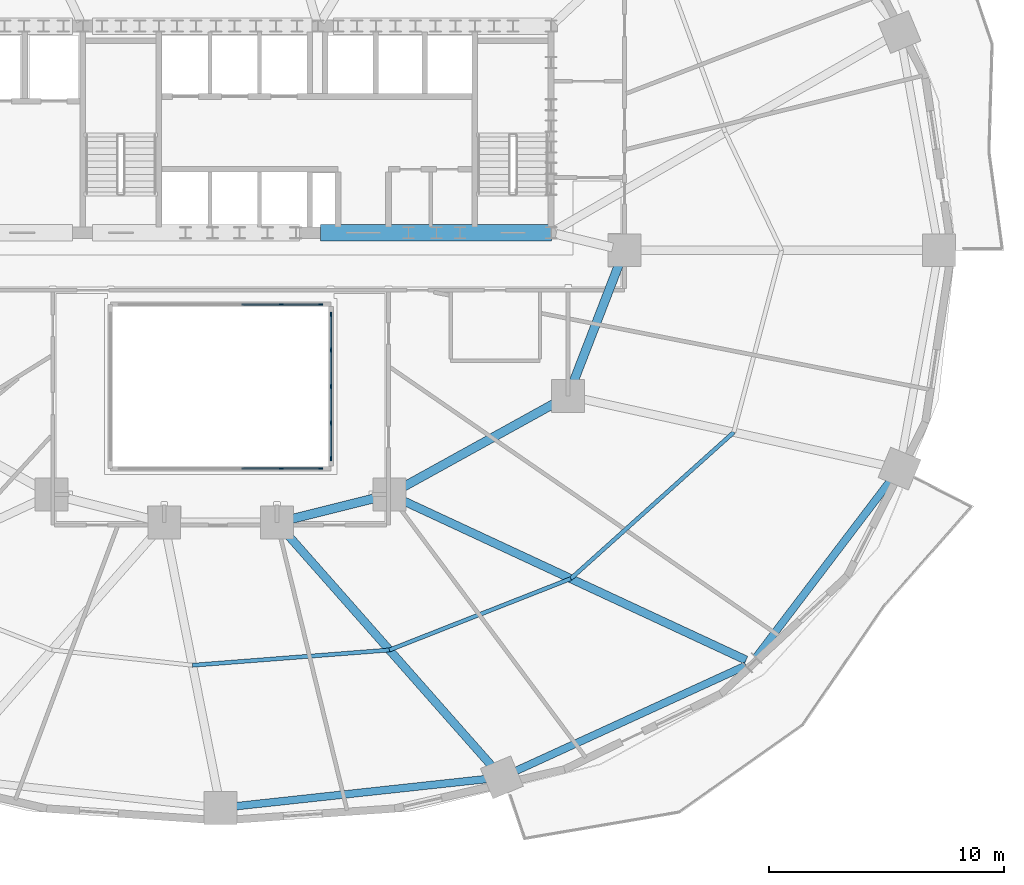
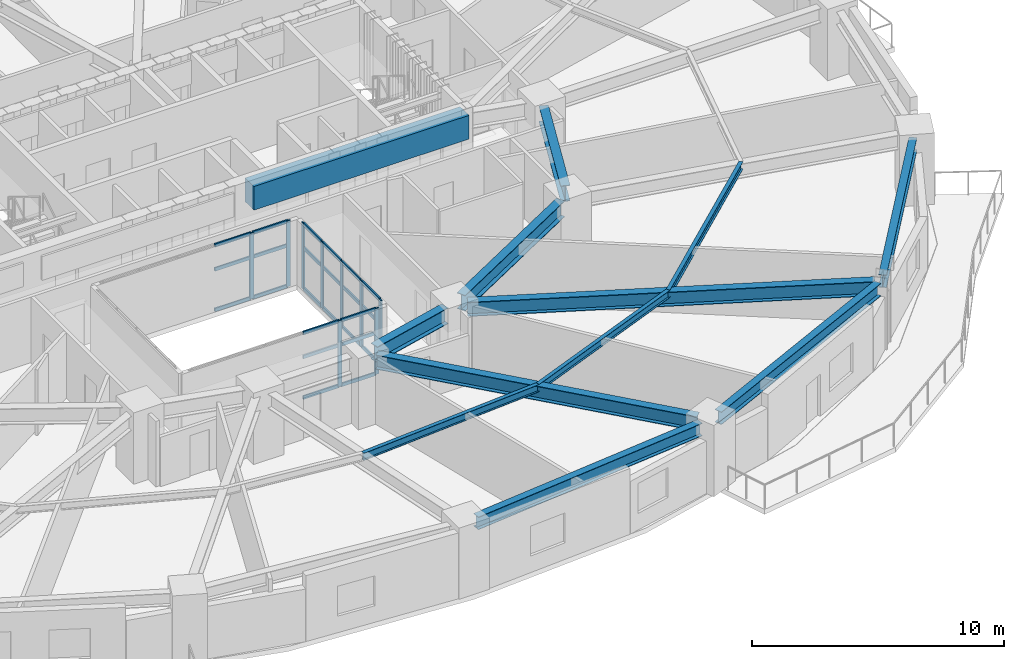
# One storey, part 5 of 16: 33 members, 12 beams, 3 elements without a shape of their own.
"""IFC4 building model written with IfcOpenShell, lengths in metres."""

from ifc_helpers import new_model, si_unit, direction, frame, origin, origin_2d, place, context, subcontext, project, spatial, rectangle, i_section, extrude, material, material_profile, profile_set, type_object, element, aggregate, save


model = new_model("IFC4")

# Units and contexts
model_context = context("Model", 3, precision=1e-05, world=origin(), true_north=direction((0.0, 1.0)))
body_context = subcontext(model_context, "Body", "Model", "MODEL_VIEW")
ifc_project = project(units=[si_unit("LENGTHUNIT", "METRE"), si_unit("AREAUNIT", "SQUARE_METRE"), si_unit("VOLUMEUNIT", "CUBIC_METRE"), si_unit("PLANEANGLEUNIT", "RADIAN"), si_unit("MASSUNIT", "GRAM", prefix="KILO")], contexts=[model_context])

# Site, building, storey
site_placement = place(None, origin())
site = spatial("IfcSite", under=ifc_project, at=site_placement, CompositionType="ELEMENT")
building_placement = place(site_placement, origin())
building = spatial("IfcBuilding", under=site, at=building_placement, Name="Haldorwick Loom Tower", CompositionType="ELEMENT")
storey_placement = place(building_placement, frame((0.0, 0.0, 68.85009765625)))
storey = spatial("IfcBuildingStorey", under=building, at=storey_placement, Name="L18", CompositionType="ELEMENT", Elevation=68.85009765625)

# Curtain wall, members
ifc_material_1 = material(Name="Thermally Broken Anodized Aluminium Curtain Wall Framing", Category="aluminium")
curtain_wall_type = type_object("IfcCurtainWallType", Name="ARC-CW-03", PredefinedType="NOTDEFINED", material=ifc_material_1)
curtain_wall_1_placement = place(storey_placement, origin())
curtain_wall_1 = element("IfcCurtainWall", 1, at=curtain_wall_1_placement, inside=storey, type_object=curtain_wall_type, Name="L18 Atrium Glazed Screen S", PredefinedType="NOTDEFINED")
ifc_material_profile_1 = material_profile(ifc_material_1, rectangle(XDim=0.06591796875, YDim=0.18505859375, at=origin_2d()), Name="ALU_MUL_66X185", Category="aluminium")
ifc_profile_set_1 = profile_set([ifc_material_profile_1], Name="Thermally Broken Anodized Aluminium Curtain Wall Framing")
member_type_1 = type_object("IfcMemberType", Name="ARC-CWM-03", PredefinedType="MULLION", material=ifc_profile_set_1)
member_1_placement = place(storey_placement, frame((40.26708984375, 16.699951171875, 0.0), z_axis=(0.0, 0.0, 1.0), x_axis=(0.0, -1.0, 0.0)))
member_1 = element("IfcMember", 2, at=member_1_placement, type_object=member_type_1, Name="CW-03 mullion 1", PredefinedType="MULLION", context=body_context, shape_type="SweptSolid", body=[
    extrude(rectangle(XDim=0.06591796875, YDim=0.18505859375, at=origin_2d()), origin(), (0.0, 0.0, 1.0), 3.18994140625),
])
member_2_placement = place(storey_placement, frame((38.580078125, 16.699951171875, 0.0), z_axis=(0.0, 0.0, 1.0), x_axis=(0.0, -1.0, 0.0)))
member_2 = element("IfcMember", 3, at=member_2_placement, type_object=member_type_1, Name="CW-03 mullion 2", PredefinedType="MULLION", context=body_context, shape_type="SweptSolid", body=[
    extrude(rectangle(XDim=0.06591796875, YDim=0.18505859375, at=origin_2d()), origin(), (0.0, 0.0, 1.0), 3.18994140625),
])

curtain_wall_2_placement = place(storey_placement, origin())
curtain_wall_2 = element("IfcCurtainWall", 4, at=curtain_wall_2_placement, inside=storey, type_object=curtain_wall_type, Name="L18 Atrium Glazed Screen N", PredefinedType="NOTDEFINED")
member_3_placement = place(storey_placement, frame((38.580078125, 23.699951171875, 0.0), z_axis=(0.0, 0.0, 1.0), x_axis=(0.0, 1.0, 0.0)))
member_3 = element("IfcMember", 5, at=member_3_placement, type_object=member_type_1, Name="CW-03 mullion 5", PredefinedType="MULLION", context=body_context, shape_type="SweptSolid", body=[
    extrude(rectangle(XDim=0.06591796875, YDim=0.18505859375, at=origin_2d()), origin(), (0.0, 0.0, 1.0), 3.18994140625),
])
member_4_placement = place(storey_placement, frame((40.26708984375, 23.699951171875, 0.0), z_axis=(0.0, 0.0, 1.0), x_axis=(0.0, 1.0, 0.0)))
member_4 = element("IfcMember", 6, at=member_4_placement, type_object=member_type_1, Name="CW-03 mullion 6", PredefinedType="MULLION", context=body_context, shape_type="SweptSolid", body=[
    extrude(rectangle(XDim=0.06591796875, YDim=0.18505859375, at=origin_2d()), origin(), (0.0, 0.0, 1.0), 3.18994140625),
])

curtain_wall_3_placement = place(storey_placement, origin())
curtain_wall_3 = element("IfcCurtainWall", 7, at=curtain_wall_3_placement, inside=storey, type_object=curtain_wall_type, Name="L18 Atrium Glazed Screen E", PredefinedType="NOTDEFINED")
member_5_placement = place(storey_placement, frame((40.699951171875, 23.26708984375, 0.0), z_axis=(0.0, 0.0, 1.0), x_axis=(1.0, 0.0, 0.0)))
member_5 = element("IfcMember", 8, at=member_5_placement, type_object=member_type_1, Name="CW-03 mullion 1", PredefinedType="MULLION", context=body_context, shape_type="SweptSolid", body=[
    extrude(rectangle(XDim=0.06591796875, YDim=0.18505859375, at=origin_2d()), origin(), (0.0, 0.0, 1.0), 3.18994140625),
])
member_6_placement = place(storey_placement, frame((40.699951171875, 21.75, 0.0), z_axis=(0.0, 0.0, 1.0), x_axis=(1.0, 0.0, 0.0)))
member_6 = element("IfcMember", 9, at=member_6_placement, type_object=member_type_1, Name="CW-03 mullion 2", PredefinedType="MULLION", context=body_context, shape_type="SweptSolid", body=[
    extrude(rectangle(XDim=0.06591796875, YDim=0.18505859375, at=origin_2d()), origin(), (0.0, 0.0, 1.0), 3.18994140625),
])
member_7_placement = place(storey_placement, frame((40.699951171875, 20.199951171875, 0.0), z_axis=(0.0, 0.0, 1.0), x_axis=(1.0, 0.0, 0.0)))
member_7 = element("IfcMember", 10, at=member_7_placement, type_object=member_type_1, Name="CW-03 mullion 3", PredefinedType="MULLION", context=body_context, shape_type="SweptSolid", body=[
    extrude(rectangle(XDim=0.06591796875, YDim=0.18505859375, at=origin_2d()), origin(), (0.0, 0.0, 1.0), 3.18994140625),
])
member_8_placement = place(storey_placement, frame((40.699951171875, 18.64990234375, 0.0), z_axis=(0.0, 0.0, 1.0), x_axis=(1.0, 0.0, 0.0)))
member_8 = element("IfcMember", 11, at=member_8_placement, type_object=member_type_1, Name="CW-03 mullion 4", PredefinedType="MULLION", context=body_context, shape_type="SweptSolid", body=[
    extrude(rectangle(XDim=0.06591796875, YDim=0.18505859375, at=origin_2d()), origin(), (0.0, 0.0, 1.0), 3.18994140625),
])
member_9_placement = place(storey_placement, frame((40.699951171875, 17.133056640625, 0.0), z_axis=(0.0, 0.0, 1.0), x_axis=(1.0, 0.0, 0.0)))
member_9 = element("IfcMember", 12, at=member_9_placement, type_object=member_type_1, Name="CW-03 mullion 5", PredefinedType="MULLION", context=body_context, shape_type="SweptSolid", body=[
    extrude(rectangle(XDim=0.06591796875, YDim=0.18505859375, at=origin_2d()), origin(), (0.0, 0.0, 1.0), 3.18994140625),
])

# Member
ifc_material_profile_2 = material_profile(ifc_material_1, rectangle(XDim=0.06591796875, YDim=0.1650390625, at=origin_2d()), Name="ALU_TRN_66X165", Category="aluminium")
ifc_profile_set_2 = profile_set([ifc_material_profile_2], Name="Thermally Broken Anodized Aluminium Curtain Wall Framing")
member_type_2 = type_object("IfcMemberType", Name="ARC-CWT-03", PredefinedType="USERDEFINED", material=ifc_profile_set_2)
member_10_placement = place(storey_placement, frame((40.23388671875, 16.699951171875, 0.032958984375), z_axis=(-1.0, 0.0, 0.0), x_axis=(0.0, -1.0, 0.0)))
member_10 = element("IfcMember", 13, at=member_10_placement, type_object=member_type_2, Name="CW-03 transom 1.1", ObjectType="TRANSOM", PredefinedType="USERDEFINED", context=body_context, shape_type="SweptSolid", body=[
    extrude(rectangle(XDim=0.06591796875, YDim=0.1650390625, at=origin_2d()), origin(), (0.0, 0.0, 1.0), 1.620849609375),
])

member_11_placement = place(storey_placement, frame((40.23388671875, 16.699951171875, 2.0), z_axis=(-1.0, 0.0, 0.0), x_axis=(0.0, -1.0, 0.0)))
member_11 = element("IfcMember", 14, at=member_11_placement, type_object=member_type_2, Name="CW-03 transom 1.2", ObjectType="TRANSOM", PredefinedType="USERDEFINED", context=body_context, shape_type="SweptSolid", body=[
    extrude(rectangle(XDim=0.06591796875, YDim=0.1650390625, at=origin_2d()), origin(), (0.0, 0.0, 1.0), 1.620849609375),
])

member_12_placement = place(storey_placement, frame((40.23388671875, 16.699951171875, 3.156982421875), z_axis=(-1.0, 0.0, 0.0), x_axis=(0.0, -1.0, 0.0)))
member_12 = element("IfcMember", 15, at=member_12_placement, type_object=member_type_2, Name="CW-03 transom 1.3", ObjectType="TRANSOM", PredefinedType="USERDEFINED", context=body_context, shape_type="SweptSolid", body=[
    extrude(rectangle(XDim=0.06591796875, YDim=0.1650390625, at=origin_2d()), origin(), (0.0, 0.0, 1.0), 1.620849609375),
])

member_13_placement = place(storey_placement, frame((38.547119140625, 16.699951171875, 0.032958984375), z_axis=(-1.0, 0.0, 0.0), x_axis=(0.0, -1.0, 0.0)))
member_13 = element("IfcMember", 16, at=member_13_placement, type_object=member_type_2, Name="CW-03 transom 2.1", ObjectType="TRANSOM", PredefinedType="USERDEFINED", context=body_context, shape_type="SweptSolid", body=[
    extrude(rectangle(XDim=0.06591796875, YDim=0.1650390625, at=origin_2d()), origin(), (0.0, 0.0, 1.0), 1.654052734375),
])

member_14_placement = place(storey_placement, frame((38.547119140625, 16.699951171875, 2.0), z_axis=(-1.0, 0.0, 0.0), x_axis=(0.0, -1.0, 0.0)))
member_14 = element("IfcMember", 17, at=member_14_placement, type_object=member_type_2, Name="CW-03 transom 2.2", ObjectType="TRANSOM", PredefinedType="USERDEFINED", context=body_context, shape_type="SweptSolid", body=[
    extrude(rectangle(XDim=0.06591796875, YDim=0.1650390625, at=origin_2d()), origin(), (0.0, 0.0, 1.0), 1.654052734375),
])

member_15_placement = place(storey_placement, frame((38.547119140625, 16.699951171875, 3.156982421875), z_axis=(-1.0, 0.0, 0.0), x_axis=(0.0, -1.0, 0.0)))
member_15 = element("IfcMember", 18, at=member_15_placement, type_object=member_type_2, Name="CW-03 transom 2.3", ObjectType="TRANSOM", PredefinedType="USERDEFINED", context=body_context, shape_type="SweptSolid", body=[
    extrude(rectangle(XDim=0.06591796875, YDim=0.1650390625, at=origin_2d()), origin(), (0.0, 0.0, 1.0), 1.654052734375),
])

aggregate(curtain_wall_1, [member_1, member_2, member_10, member_11, member_12, member_13, member_14, member_15])

member_16_placement = place(storey_placement, frame((36.89306640625, 23.699951171875, 0.032958984375), z_axis=(1.0, 0.0, 0.0), x_axis=(0.0, 1.0, 0.0)))
member_16 = element("IfcMember", 19, at=member_16_placement, type_object=member_type_2, Name="CW-03 transom 4.1", ObjectType="TRANSOM", PredefinedType="USERDEFINED", context=body_context, shape_type="SweptSolid", body=[
    extrude(rectangle(XDim=0.06591796875, YDim=0.1650390625, at=origin_2d()), origin(), (0.0, 0.0, 1.0), 1.654052734375),
])

member_17_placement = place(storey_placement, frame((36.89306640625, 23.699951171875, 2.0), z_axis=(1.0, 0.0, 0.0), x_axis=(0.0, 1.0, 0.0)))
member_17 = element("IfcMember", 20, at=member_17_placement, type_object=member_type_2, Name="CW-03 transom 4.2", ObjectType="TRANSOM", PredefinedType="USERDEFINED", context=body_context, shape_type="SweptSolid", body=[
    extrude(rectangle(XDim=0.06591796875, YDim=0.1650390625, at=origin_2d()), origin(), (0.0, 0.0, 1.0), 1.654052734375),
])

member_18_placement = place(storey_placement, frame((36.89306640625, 23.699951171875, 3.156982421875), z_axis=(1.0, 0.0, 0.0), x_axis=(0.0, 1.0, 0.0)))
member_18 = element("IfcMember", 21, at=member_18_placement, type_object=member_type_2, Name="CW-03 transom 4.3", ObjectType="TRANSOM", PredefinedType="USERDEFINED", context=body_context, shape_type="SweptSolid", body=[
    extrude(rectangle(XDim=0.06591796875, YDim=0.1650390625, at=origin_2d()), origin(), (0.0, 0.0, 1.0), 1.654052734375),
])

member_19_placement = place(storey_placement, frame((38.613037109375, 23.699951171875, 0.032958984375), z_axis=(1.0, 0.0, 0.0), x_axis=(0.0, 1.0, 0.0)))
member_19 = element("IfcMember", 22, at=member_19_placement, type_object=member_type_2, Name="CW-03 transom 5.1", ObjectType="TRANSOM", PredefinedType="USERDEFINED", context=body_context, shape_type="SweptSolid", body=[
    extrude(rectangle(XDim=0.06591796875, YDim=0.1650390625, at=origin_2d()), origin(), (0.0, 0.0, 1.0), 1.620849609375),
])

member_20_placement = place(storey_placement, frame((38.613037109375, 23.699951171875, 2.0), z_axis=(1.0, 0.0, 0.0), x_axis=(0.0, 1.0, 0.0)))
member_20 = element("IfcMember", 23, at=member_20_placement, type_object=member_type_2, Name="CW-03 transom 5.2", ObjectType="TRANSOM", PredefinedType="USERDEFINED", context=body_context, shape_type="SweptSolid", body=[
    extrude(rectangle(XDim=0.06591796875, YDim=0.1650390625, at=origin_2d()), origin(), (0.0, 0.0, 1.0), 1.620849609375),
])

member_21_placement = place(storey_placement, frame((38.613037109375, 23.699951171875, 3.156982421875), z_axis=(1.0, 0.0, 0.0), x_axis=(0.0, 1.0, 0.0)))
member_21 = element("IfcMember", 24, at=member_21_placement, type_object=member_type_2, Name="CW-03 transom 5.3", ObjectType="TRANSOM", PredefinedType="USERDEFINED", context=body_context, shape_type="SweptSolid", body=[
    extrude(rectangle(XDim=0.06591796875, YDim=0.1650390625, at=origin_2d()), origin(), (0.0, 0.0, 1.0), 1.620849609375),
])

aggregate(curtain_wall_2, [member_3, member_4, member_16, member_17, member_18, member_19, member_20, member_21])

member_22_placement = place(storey_placement, frame((40.699951171875, 23.23388671875, 0.032958984375), z_axis=(0.0, -1.0, 0.0), x_axis=(1.0, 0.0, 0.0)))
member_22 = element("IfcMember", 25, at=member_22_placement, type_object=member_type_2, Name="CW-03 transom 1.1", ObjectType="TRANSOM", PredefinedType="USERDEFINED", context=body_context, shape_type="SweptSolid", body=[
    extrude(rectangle(XDim=0.06591796875, YDim=0.1650390625, at=origin_2d()), origin(), (0.0, 0.0, 1.0), 1.450927734375),
])

member_23_placement = place(storey_placement, frame((40.699951171875, 23.23388671875, 2.0), z_axis=(0.0, -1.0, 0.0), x_axis=(1.0, 0.0, 0.0)))
member_23 = element("IfcMember", 26, at=member_23_placement, type_object=member_type_2, Name="CW-03 transom 1.2", ObjectType="TRANSOM", PredefinedType="USERDEFINED", context=body_context, shape_type="SweptSolid", body=[
    extrude(rectangle(XDim=0.06591796875, YDim=0.1650390625, at=origin_2d()), origin(), (0.0, 0.0, 1.0), 1.450927734375),
])

member_24_placement = place(storey_placement, frame((40.699951171875, 23.23388671875, 3.156982421875), z_axis=(0.0, -1.0, 0.0), x_axis=(1.0, 0.0, 0.0)))
member_24 = element("IfcMember", 27, at=member_24_placement, type_object=member_type_2, Name="CW-03 transom 1.3", ObjectType="TRANSOM", PredefinedType="USERDEFINED", context=body_context, shape_type="SweptSolid", body=[
    extrude(rectangle(XDim=0.06591796875, YDim=0.1650390625, at=origin_2d()), origin(), (0.0, 0.0, 1.0), 1.450927734375),
])

member_25_placement = place(storey_placement, frame((40.699951171875, 21.717041015625, 0.032958984375), z_axis=(0.0, -1.0, 0.0), x_axis=(1.0, 0.0, 0.0)))
member_25 = element("IfcMember", 28, at=member_25_placement, type_object=member_type_2, Name="CW-03 transom 2.1", ObjectType="TRANSOM", PredefinedType="USERDEFINED", context=body_context, shape_type="SweptSolid", body=[
    extrude(rectangle(XDim=0.06591796875, YDim=0.1650390625, at=origin_2d()), origin(), (0.0, 0.0, 1.0), 1.484130859375),
])

member_26_placement = place(storey_placement, frame((40.699951171875, 21.717041015625, 2.0), z_axis=(0.0, -1.0, 0.0), x_axis=(1.0, 0.0, 0.0)))
member_26 = element("IfcMember", 29, at=member_26_placement, type_object=member_type_2, Name="CW-03 transom 2.2", ObjectType="TRANSOM", PredefinedType="USERDEFINED", context=body_context, shape_type="SweptSolid", body=[
    extrude(rectangle(XDim=0.06591796875, YDim=0.1650390625, at=origin_2d()), origin(), (0.0, 0.0, 1.0), 1.484130859375),
])

member_27_placement = place(storey_placement, frame((40.699951171875, 21.717041015625, 3.156982421875), z_axis=(0.0, -1.0, 0.0), x_axis=(1.0, 0.0, 0.0)))
member_27 = element("IfcMember", 30, at=member_27_placement, type_object=member_type_2, Name="CW-03 transom 2.3", ObjectType="TRANSOM", PredefinedType="USERDEFINED", context=body_context, shape_type="SweptSolid", body=[
    extrude(rectangle(XDim=0.06591796875, YDim=0.1650390625, at=origin_2d()), origin(), (0.0, 0.0, 1.0), 1.484130859375),
])

member_28_placement = place(storey_placement, frame((40.699951171875, 20.1669921875, 0.032958984375), z_axis=(0.0, -1.0, 0.0), x_axis=(1.0, 0.0, 0.0)))
member_28 = element("IfcMember", 31, at=member_28_placement, type_object=member_type_2, Name="CW-03 transom 3.1", ObjectType="TRANSOM", PredefinedType="USERDEFINED", context=body_context, shape_type="SweptSolid", body=[
    extrude(rectangle(XDim=0.06591796875, YDim=0.1650390625, at=origin_2d()), origin(), (0.0, 0.0, 1.0), 1.48388671875),
])

member_29_placement = place(storey_placement, frame((40.699951171875, 20.1669921875, 2.0), z_axis=(0.0, -1.0, 0.0), x_axis=(1.0, 0.0, 0.0)))
member_29 = element("IfcMember", 32, at=member_29_placement, type_object=member_type_2, Name="CW-03 transom 3.2", ObjectType="TRANSOM", PredefinedType="USERDEFINED", context=body_context, shape_type="SweptSolid", body=[
    extrude(rectangle(XDim=0.06591796875, YDim=0.1650390625, at=origin_2d()), origin(), (0.0, 0.0, 1.0), 1.48388671875),
])

member_30_placement = place(storey_placement, frame((40.699951171875, 20.1669921875, 3.156982421875), z_axis=(0.0, -1.0, 0.0), x_axis=(1.0, 0.0, 0.0)))
member_30 = element("IfcMember", 33, at=member_30_placement, type_object=member_type_2, Name="CW-03 transom 3.3", ObjectType="TRANSOM", PredefinedType="USERDEFINED", context=body_context, shape_type="SweptSolid", body=[
    extrude(rectangle(XDim=0.06591796875, YDim=0.1650390625, at=origin_2d()), origin(), (0.0, 0.0, 1.0), 1.48388671875),
])

member_31_placement = place(storey_placement, frame((40.699951171875, 18.616943359375, 0.032958984375), z_axis=(0.0, -1.0, 0.0), x_axis=(1.0, 0.0, 0.0)))
member_31 = element("IfcMember", 34, at=member_31_placement, type_object=member_type_2, Name="CW-03 transom 4.1", ObjectType="TRANSOM", PredefinedType="USERDEFINED", context=body_context, shape_type="SweptSolid", body=[
    extrude(rectangle(XDim=0.06591796875, YDim=0.1650390625, at=origin_2d()), origin(), (0.0, 0.0, 1.0), 1.450927734375),
])

member_32_placement = place(storey_placement, frame((40.699951171875, 18.616943359375, 2.0), z_axis=(0.0, -1.0, 0.0), x_axis=(1.0, 0.0, 0.0)))
member_32 = element("IfcMember", 35, at=member_32_placement, type_object=member_type_2, Name="CW-03 transom 4.2", ObjectType="TRANSOM", PredefinedType="USERDEFINED", context=body_context, shape_type="SweptSolid", body=[
    extrude(rectangle(XDim=0.06591796875, YDim=0.1650390625, at=origin_2d()), origin(), (0.0, 0.0, 1.0), 1.450927734375),
])

member_33_placement = place(storey_placement, frame((40.699951171875, 18.616943359375, 3.156982421875), z_axis=(0.0, -1.0, 0.0), x_axis=(1.0, 0.0, 0.0)))
member_33 = element("IfcMember", 36, at=member_33_placement, type_object=member_type_2, Name="CW-03 transom 4.3", ObjectType="TRANSOM", PredefinedType="USERDEFINED", context=body_context, shape_type="SweptSolid", body=[
    extrude(rectangle(XDim=0.06591796875, YDim=0.1650390625, at=origin_2d()), origin(), (0.0, 0.0, 1.0), 1.450927734375),
])

aggregate(curtain_wall_3, [member_5, member_6, member_7, member_8, member_9, member_22, member_23, member_24, member_25, member_26, member_27, member_28, member_29, member_30, member_31, member_32, member_33])

# Beams
ifc_material_2 = material(Name="Concrete C60 (60 MPa)", Category="concrete")
ifc_material_profile_3 = material_profile(ifc_material_2, rectangle(XDim=0.699951171875, YDim=1.14990234375, at=origin_2d()), Name="RC700X1150", Category="concrete")
ifc_profile_set_3 = profile_set([ifc_material_profile_3], Name="Concrete C60 (60 MPa)")
beam_type_1 = type_object("IfcBeamType", Name="STR-BM-CB1150", PredefinedType="LINTEL", material=ifc_profile_set_3)
beam_1_placement = place(storey_placement, frame((40.25, 26.75, 2.614990234375), z_axis=(1.0, 0.0, 0.0), x_axis=(0.0, 1.0, 0.0)))
element("IfcBeam", 37, at=beam_1_placement, inside=storey, type_object=beam_type_1, Name="L18 Core Coupling Beam CB-S3", PredefinedType="LINTEL", context=body_context, shape_type="SweptSolid", body=[
    extrude(rectangle(XDim=0.699951171875, YDim=1.14990234375, at=origin_2d()), origin(), (0.0, 0.0, 1.0), 9.85009765625),
])
ifc_material_3 = material(Name="Steel CSA G40.21 350W", Category="steel")
ifc_material_profile_4 = material_profile(ifc_material_3, i_section(OverallWidth=0.172119140625, OverallDepth=0.35791015625, WebThickness=0.0078125, FlangeThickness=0.01318359375, at=origin_2d()), Name="W360X57", Category="steel")
ifc_profile_set_4 = profile_set([ifc_material_profile_4], Name="Steel CSA G40.21 350W")
beam_type_2 = type_object("IfcBeamType", Name="STR-BM-J360", PredefinedType="JOIST", material=ifc_profile_set_4)
beam_2_placement = place(storey_placement, frame((34.800048828125, 8.324951171875, 3.010986328125), z_axis=(0.99701252039, 0.077240107368, 0.0), x_axis=(-0.077240107368, 0.99701252039, 0.0)))
element("IfcBeam", 38, at=beam_2_placement, inside=storey, type_object=beam_type_2, Name="L18 Mid-Bay Secondary Joist 13", PredefinedType="JOIST", context=body_context, shape_type="SweptSolid", body=[
    extrude(i_section(OverallWidth=0.172119140625, OverallDepth=0.35791015625, WebThickness=0.0078125, FlangeThickness=0.01318359375, at=origin_2d()), origin(), (0.0, 0.0, 1.0), 8.4140625),
])
beam_3_placement = place(storey_placement, frame((43.18896484375, 8.974853515625, 3.010986328125), z_axis=(0.930584838237, 0.366076301941, 0.0), x_axis=(-0.366076301941, 0.930584838237, 0.0)))
element("IfcBeam", 39, at=beam_3_placement, inside=storey, type_object=beam_type_2, Name="L18 Mid-Bay Secondary Joist 14", PredefinedType="JOIST", context=body_context, shape_type="SweptSolid", body=[
    extrude(i_section(OverallWidth=0.172119140625, OverallDepth=0.35791015625, WebThickness=0.0078125, FlangeThickness=0.01318359375, at=origin_2d()), origin(), (0.0, 0.0, 1.0), 8.302490234375),
])
beam_4_placement = place(storey_placement, frame((50.9150390625, 12.01416015625, 3.010986328125), z_axis=(0.743981830112, 0.668199847698, 0.0), x_axis=(-0.668199847698, 0.743981830112, 0.0)))
element("IfcBeam", 40, at=beam_4_placement, inside=storey, type_object=beam_type_2, Name="L18 Mid-Bay Secondary Joist 15", PredefinedType="JOIST", context=body_context, shape_type="SweptSolid", body=[
    extrude(i_section(OverallWidth=0.172119140625, OverallDepth=0.35791015625, WebThickness=0.0078125, FlangeThickness=0.01318359375, at=origin_2d()), origin(), (0.0, 0.0, 1.0), 9.3330078125),
])
ifc_material_profile_5 = material_profile(ifc_material_3, i_section(OverallWidth=0.324951171875, OverallDepth=0.615966796875, WebThickness=0.013916015625, FlangeThickness=0.021484375, at=origin_2d()), Name="W610X174", Category="steel")
ifc_profile_set_5 = profile_set([ifc_material_profile_5], Name="Steel CSA G40.21 350W")
beam_type_3 = type_object("IfcBeamType", Name="STR-BM-SP610", PredefinedType="SPANDREL", material=ifc_profile_set_5)
beam_5_placement = place(storey_placement, frame((36.51708984375, 2.30615234375, 2.8818359375), z_axis=(0.994164438636, 0.107875247167, 0.0), x_axis=(-0.107875247167, 0.994164438636, 0.0)))
element("IfcBeam", 41, at=beam_5_placement, inside=storey, type_object=beam_type_3, Name="L18 Perimeter Spandrel 13", PredefinedType="SPANDREL", context=body_context, shape_type="SweptSolid", body=[
    extrude(i_section(OverallWidth=0.324951171875, OverallDepth=0.615966796875, WebThickness=0.013916015625, FlangeThickness=0.021484375, at=origin_2d()), origin(), (0.0, 0.0, 1.0), 11.008056640625),
])
beam_6_placement = place(storey_placement, frame((48.45068359375, 3.76611328125, 2.8818359375), z_axis=(0.909173805321, 0.416416848504, 0.0), x_axis=(-0.416416848504, 0.909173805321, 0.0)))
element("IfcBeam", 42, at=beam_6_placement, inside=storey, type_object=beam_type_3, Name="L18 Perimeter Spandrel 14", PredefinedType="SPANDREL", context=body_context, shape_type="SweptSolid", body=[
    extrude(i_section(OverallWidth=0.324951171875, OverallDepth=0.615966796875, WebThickness=0.013916015625, FlangeThickness=0.021484375, at=origin_2d()), origin(), (0.0, 0.0, 1.0), 10.92138671875),
])
beam_7_placement = place(storey_placement, frame((58.796630859375, 8.647216796875, 2.8818359375), z_axis=(0.605084557744, 0.796161213562, 0.0), x_axis=(-0.796161213562, 0.605084557744, 0.0)))
element("IfcBeam", 43, at=beam_7_placement, inside=storey, type_object=beam_type_3, Name="L18 Perimeter Spandrel 15", PredefinedType="SPANDREL", context=body_context, shape_type="SweptSolid", body=[
    extrude(i_section(OverallWidth=0.324951171875, OverallDepth=0.615966796875, WebThickness=0.013916015625, FlangeThickness=0.021484375, at=origin_2d()), origin(), (0.0, 0.0, 1.0), 9.595703125),
])
ifc_material_profile_6 = material_profile(ifc_material_3, i_section(OverallWidth=0.35498046875, OverallDepth=0.695068359375, WebThickness=0.015380859375, FlangeThickness=0.02490234375, at=origin_2d()), Name="W690X217", Category="steel")
ifc_profile_set_6 = profile_set([ifc_material_profile_6], Name="Steel CSA G40.21 350W")
beam_type_4 = type_object("IfcBeamType", Name="STR-BM-W690", PredefinedType="BEAM", material=ifc_profile_set_6)
beam_8_placement = place(storey_placement, frame((38.744140625, 14.01025390625, 2.84228515625), z_axis=(0.661774304332, -0.749703121326, 0.0), x_axis=(0.749703121326, 0.661774304332, 0.0)))
element("IfcBeam", 44, at=beam_8_placement, inside=storey, type_object=beam_type_4, Name="L18 Radial Floor Girder 14", PredefinedType="BEAM", context=body_context, shape_type="SweptSolid", body=[
    extrude(i_section(OverallWidth=0.35498046875, OverallDepth=0.695068359375, WebThickness=0.015380859375, FlangeThickness=0.02490234375, at=origin_2d()), origin(), (0.0, 0.0, 1.0), 13.43310546875),
])
beam_9_placement = place(storey_placement, frame((43.671630859375, 15.380859375, 2.84228515625), z_axis=(0.90683498532, -0.421485835349, 0.0), x_axis=(0.421485835349, 0.90683498532, 0.0)))
element("IfcBeam", 45, at=beam_9_placement, inside=storey, type_object=beam_type_4, Name="L18 Radial Floor Girder 15", PredefinedType="BEAM", context=body_context, shape_type="SweptSolid", body=[
    extrude(i_section(OverallWidth=0.35498046875, OverallDepth=0.695068359375, WebThickness=0.015380859375, FlangeThickness=0.02490234375, at=origin_2d()), origin(), (0.0, 0.0, 1.0), 16.220458984375),
])
ifc_material_profile_7 = material_profile(ifc_material_3, i_section(OverallWidth=0.381103515625, OverallDepth=0.77294921875, WebThickness=0.0166015625, FlangeThickness=0.027587890625, at=origin_2d()), Name="W760X257", Category="steel")
ifc_profile_set_7 = profile_set([ifc_material_profile_7], Name="Steel CSA G40.21 350W")
beam_type_5 = type_object("IfcBeamType", Name="STR-BM-W760", PredefinedType="BEAM", material=ifc_profile_set_7)
beam_10_placement = place(storey_placement, frame((53.01220703125, 25.51513671875, 2.803466796875), z_axis=(-0.360964792353, -0.93257944363, 0.0), x_axis=(0.93257944363, -0.360964792353, 0.0)))
element("IfcBeam", 46, at=beam_10_placement, inside=storey, type_object=beam_type_5, Name="L18 Inner Ring Girder 2", PredefinedType="BEAM", context=body_context, shape_type="SweptSolid", body=[
    extrude(i_section(OverallWidth=0.381103515625, OverallDepth=0.77294921875, WebThickness=0.0166015625, FlangeThickness=0.027587890625, at=origin_2d()), origin(), (0.0, 0.0, 1.0), 5.6083984375),
])
beam_11_placement = place(storey_placement, frame((50.344970703125, 19.548583984375, 2.803466796875), z_axis=(-0.875244382146, -0.483680960471, 0.0), x_axis=(0.483680960471, -0.875244382146, 0.0)))
element("IfcBeam", 47, at=beam_11_placement, inside=storey, type_object=beam_type_5, Name="L18 Inner Ring Girder 3", PredefinedType="BEAM", context=body_context, shape_type="SweptSolid", body=[
    extrude(i_section(OverallWidth=0.381103515625, OverallDepth=0.77294921875, WebThickness=0.0166015625, FlangeThickness=0.027587890625, at=origin_2d()), origin(), (0.0, 0.0, 1.0), 7.6435546875),
])
beam_12_placement = place(storey_placement, frame((42.695556640625, 15.473876953125, 2.803466796875), z_axis=(-0.970142500145, -0.242535625036, 0.0), x_axis=(0.242535625036, -0.970142500145, 0.0)))
element("IfcBeam", 48, at=beam_12_placement, inside=storey, type_object=beam_type_5, Name="L18 Inner Ring Girder 4", PredefinedType="BEAM", context=body_context, shape_type="SweptSolid", body=[
    extrude(i_section(OverallWidth=0.381103515625, OverallDepth=0.77294921875, WebThickness=0.0166015625, FlangeThickness=0.027587890625, at=origin_2d()), origin(), (0.0, 0.0, 1.0), 3.90771484375),
])

save(model, "model.ifc")
